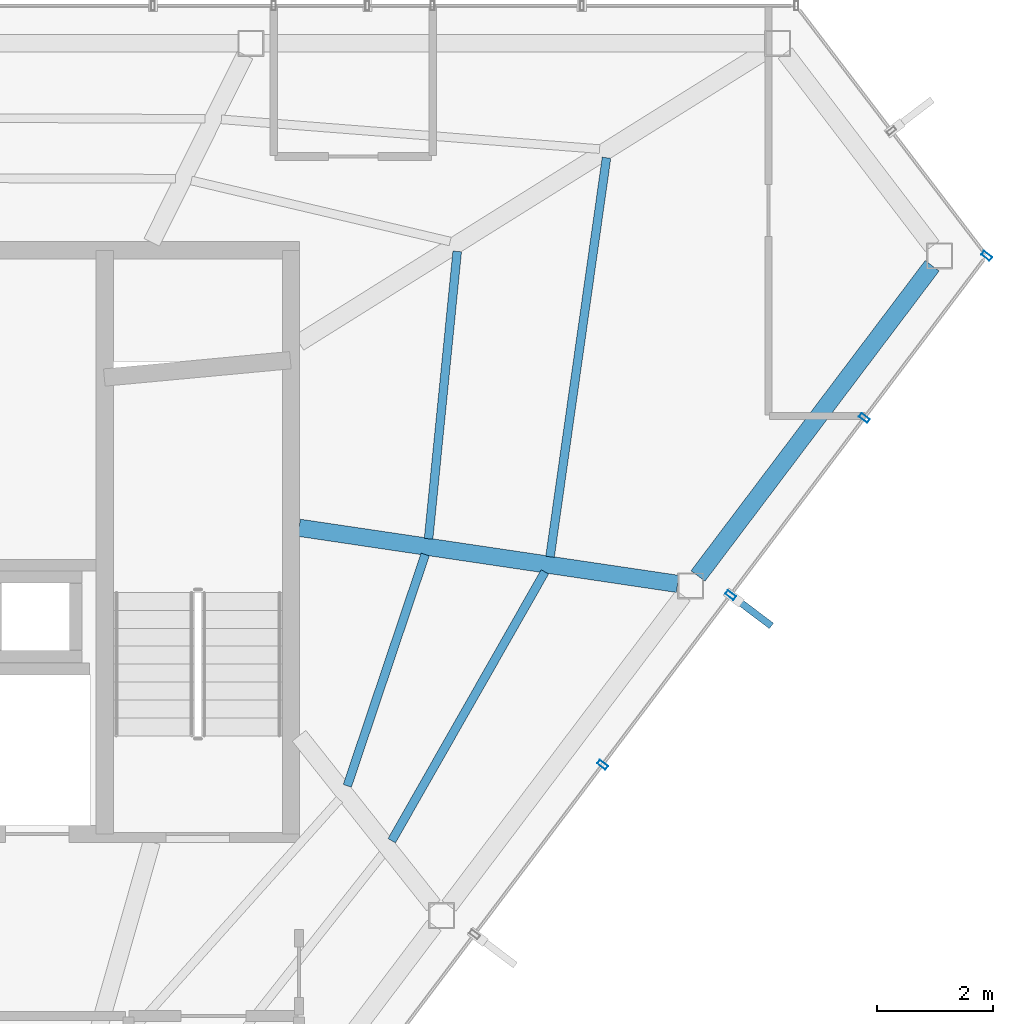
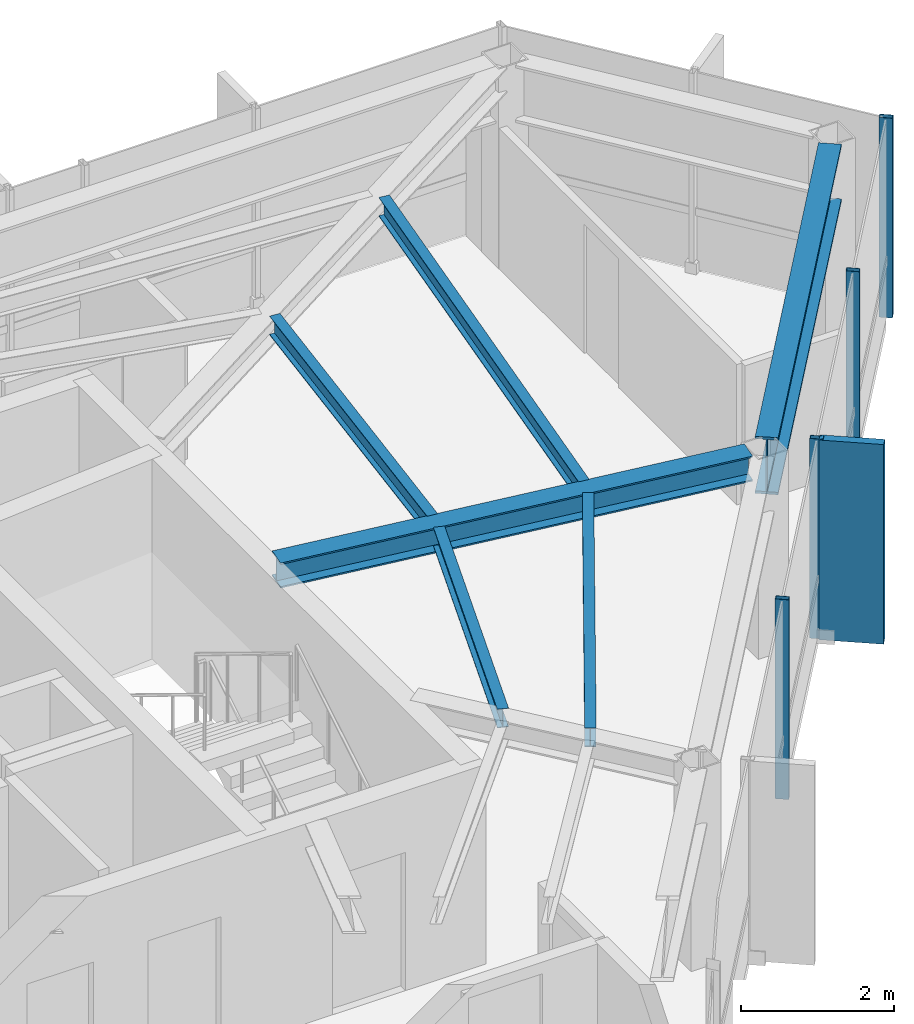
# One storey, part 17 of 23: 6 beams, 5 members, 1 element without a shape of its own.
"""IFC4 building model written with IfcOpenShell, lengths in metres."""

from ifc_helpers import new_model, si_unit, direction, frame, origin, origin_2d, place, context, subcontext, project, spatial, rectangle, hollow_rectangle, i_section, extrude, material, layer, layer_set, material_profile, profile_set, type_object, element, aggregate, save


model = new_model("IFC4")

# Units and contexts
model_context = context("Model", 3, precision=1e-05, world=origin(), true_north=direction((0.0, 1.0)))
body_context = subcontext(model_context, "Body", "Model", "MODEL_VIEW")
ifc_project = project(units=[si_unit("LENGTHUNIT", "METRE"), si_unit("AREAUNIT", "SQUARE_METRE"), si_unit("VOLUMEUNIT", "CUBIC_METRE"), si_unit("PLANEANGLEUNIT", "RADIAN"), si_unit("MASSUNIT", "GRAM", prefix="KILO")], contexts=[model_context])

# Site, building, storey
site_placement = place(None, origin())
site = spatial("IfcSite", under=ifc_project, at=site_placement, CompositionType="ELEMENT")
building_placement = place(site_placement, origin())
building = spatial("IfcBuilding", under=site, at=building_placement, Name="Zarrinselat Tower", CompositionType="ELEMENT")
storey_placement = place(building_placement, frame((0.0, 0.0, 282.199951171875)))
storey = spatial("IfcBuildingStorey", under=building, at=storey_placement, Name="L72", CompositionType="ELEMENT", Elevation=282.199951171875)

# Beams
ifc_material_1 = material(Name="Steel S355J2", Category="steel")
ifc_material_profile_1 = material_profile(ifc_material_1, i_section(OverallWidth=0.300048828125, OverallDepth=0.39990234375, WebThickness=0.013427734375, FlangeThickness=0.02392578125, at=origin_2d()), Name="HEB 400")
ifc_profile_set_1 = profile_set([ifc_material_profile_1], Name="Steel S355J2")
beam_type_1 = type_object("IfcBeamType", Name="BM-HEB400", PredefinedType="BEAM", material=ifc_profile_set_1)
beam_1_placement = place(storey_placement, frame((48.35009765625, 38.60009765625, 2.97998046875), z_axis=(0.989183462234, -0.146683598413, 0.0), x_axis=(0.146683598413, 0.989183462234, 0.0)))
element("IfcBeam", 1, at=beam_1_placement, inside=storey, type_object=beam_type_1, Name="L72 Radial Primary Girder RG14", PredefinedType="BEAM", context=body_context, shape_type="SweptSolid", body=[
    extrude(i_section(OverallWidth=0.300048828125, OverallDepth=0.39990234375, WebThickness=0.013427734375, FlangeThickness=0.02392578125, at=origin_2d()), origin(), (0.0, 0.0, 1.0), 6.62255859375),
])
ifc_material_2 = material(Name="Steel S460M", Category="steel")
ifc_material_profile_2 = material_profile(ifc_material_2, i_section(OverallWidth=0.302001953125, OverallDepth=0.909912109375, WebThickness=0.02099609375, FlangeThickness=0.0400390625, at=origin_2d()), Name="HEM 900")
ifc_profile_set_2 = profile_set([ifc_material_profile_2], Name="Steel S460M")
beam_type_2 = type_object("IfcBeamType", Name="BM-HEM900", PredefinedType="BEAM", material=ifc_profile_set_2)
beam_2_placement = place(storey_placement, frame((55.25390625, 37.765380859375, 2.72509765625), z_axis=(0.602471040777, 0.798140742617, 0.0), x_axis=(-0.798140742617, 0.602471040777, 0.0)))
element("IfcBeam", 2, at=beam_2_placement, inside=storey, type_object=beam_type_2, Name="L72 Perimeter Spandrel Girder SP14", PredefinedType="BEAM", context=body_context, shape_type="SweptSolid", body=[
    extrude(i_section(OverallWidth=0.302001953125, OverallDepth=0.909912109375, WebThickness=0.02099609375, FlangeThickness=0.0400390625, at=origin_2d()), origin(), (0.0, 0.0, 1.0), 6.7265625),
])
ifc_material_3 = material(Name="Steel S355J2", Category="steel")
ifc_material_profile_3 = material_profile(ifc_material_3, i_section(OverallWidth=0.14990234375, OverallDepth=0.300048828125, WebThickness=0.007080078125, FlangeThickness=0.0107421875, at=origin_2d()), Name="IPE 300")
ifc_profile_set_3 = profile_set([ifc_material_profile_3], Name="Steel S355J2")
beam_type_3 = type_object("IfcBeamType", Name="BM-IPE300", PredefinedType="JOIST", material=ifc_profile_set_3)
beam_3_placement = place(storey_placement, frame((49.954345703125, 33.18408203125, 3.030029296875), z_axis=(0.494906039578, 0.86894649547, 0.0), x_axis=(-0.86894649547, 0.494906039578, 0.0)))
element("IfcBeam", 3, at=beam_3_placement, inside=storey, type_object=beam_type_3, Name="L72 Composite Floor Joist 4-1", PredefinedType="JOIST", context=body_context, shape_type="SweptSolid", body=[
    extrude(i_section(OverallWidth=0.14990234375, OverallDepth=0.300048828125, WebThickness=0.007080078125, FlangeThickness=0.0107421875, at=origin_2d()), origin(), (0.0, 0.0, 1.0), 5.354736328125),
])
beam_4_placement = place(storey_placement, frame((49.185302734375, 34.134521484375, 3.030029296875), z_axis=(0.319053270003, 0.947736783553, 0.0), x_axis=(-0.947736783553, 0.319053270003, 0.0)))
element("IfcBeam", 4, at=beam_4_placement, inside=storey, type_object=beam_type_3, Name="L72 Composite Floor Joist 4-2", PredefinedType="JOIST", context=body_context, shape_type="SweptSolid", body=[
    extrude(i_section(OverallWidth=0.14990234375, OverallDepth=0.300048828125, WebThickness=0.007080078125, FlangeThickness=0.0107421875, at=origin_2d()), origin(), (0.0, 0.0, 1.0), 4.22314453125),
])
beam_5_placement = place(storey_placement, frame((52.693359375, 38.097412109375, 3.030029296875), z_axis=(0.140093109878, 0.990138334055, 0.0), x_axis=(-0.990138334055, 0.140093109878, 0.0)))
element("IfcBeam", 5, at=beam_5_placement, inside=storey, type_object=beam_type_3, Name="L72 Composite Floor Joist 5-1", PredefinedType="JOIST", context=body_context, shape_type="SweptSolid", body=[
    extrude(i_section(OverallWidth=0.14990234375, OverallDepth=0.300048828125, WebThickness=0.007080078125, FlangeThickness=0.0107421875, at=origin_2d()), origin(), (0.0, 0.0, 1.0), 6.974365234375),
])
beam_6_placement = place(storey_placement, frame((50.59130859375, 38.408935546875, 3.030029296875), z_axis=(0.099165150099, 0.995070988928, 0.0), x_axis=(-0.995070988928, 0.099165150099, 0.0)))
element("IfcBeam", 6, at=beam_6_placement, inside=storey, type_object=beam_type_3, Name="L72 Composite Floor Joist 5-2", PredefinedType="JOIST", context=body_context, shape_type="SweptSolid", body=[
    extrude(i_section(OverallWidth=0.14990234375, OverallDepth=0.300048828125, WebThickness=0.007080078125, FlangeThickness=0.0107421875, at=origin_2d()), origin(), (0.0, 0.0, 1.0), 4.997802734375),
])

# Curtain wall, members
ifc_material_4 = material(Name="Extruded Aluminium Alloy EN AW-6063 T6", Category="aluminium")
ifc_layer = layer(ifc_material_4, 0.199951171875)
ifc_layer_set = layer_set([ifc_layer], Name="Extruded Aluminium Alloy EN AW-6063 T6")
curtain_wall_type = type_object("IfcCurtainWallType", Name="CWS-BLADE", PredefinedType="NOTDEFINED", material=ifc_layer_set)
curtain_wall_placement = place(storey_placement, origin())
curtain_wall = element("IfcCurtainWall", 7, at=curtain_wall_placement, inside=storey, type_object=curtain_wall_type, Name="L72 Unitised Curtain Wall CW-L72-E05", PredefinedType="NOTDEFINED")
ifc_material_5 = material(Name="Extruded Aluminium Alloy EN AW-6063 T6", Category="aluminium")
ifc_material_profile_4 = material_profile(ifc_material_5, hollow_rectangle(XDim=0.080078125, YDim=0.179931640625, WallThickness=0.0048828125, at=origin_2d()), Name="RHS 180x80x5")
ifc_profile_set_4 = profile_set([ifc_material_profile_4], Name="Extruded Aluminium Alloy EN AW-6063 T6")
member_type_1 = type_object("IfcMemberType", Name="MEM-CW-MUL", PredefinedType="MULLION", material=ifc_profile_set_4)
member_1_placement = place(storey_placement, frame((53.6025390625, 34.498291015625, 0.0), z_axis=(0.0, 0.0, 1.0), x_axis=(0.602445101176, 0.798160322284, 0.0)))
member_1 = element("IfcMember", 8, at=member_1_placement, type_object=member_type_1, Name="CW-L72-E05 Mullion 6", PredefinedType="MULLION", context=body_context, shape_type="SweptSolid", body=[
    extrude(hollow_rectangle(XDim=0.080078125, YDim=0.179931640625, WallThickness=0.0048828125, at=origin_2d()), origin(), (0.0, 0.0, 1.0), 3.179931640625),
])
member_2_placement = place(storey_placement, frame((55.818359375, 37.43408203125, 0.0), z_axis=(0.0, 0.0, 1.0), x_axis=(0.602445101176, 0.798160322284, 0.0)))
member_2 = element("IfcMember", 9, at=member_2_placement, type_object=member_type_1, Name="CW-L72-E05 Mullion 7", PredefinedType="MULLION", context=body_context, shape_type="SweptSolid", body=[
    extrude(hollow_rectangle(XDim=0.080078125, YDim=0.179931640625, WallThickness=0.0048828125, at=origin_2d()), origin(), (0.0, 0.0, 1.0), 3.179931640625),
])
member_3_placement = place(storey_placement, frame((58.1318359375, 40.4990234375, 0.0), z_axis=(0.0, 0.0, 1.0), x_axis=(0.602445101176, 0.798160322284, 0.0)))
member_3 = element("IfcMember", 10, at=member_3_placement, type_object=member_type_1, Name="CW-L72-E05 Mullion 8", PredefinedType="MULLION", context=body_context, shape_type="SweptSolid", body=[
    extrude(hollow_rectangle(XDim=0.080078125, YDim=0.179931640625, WallThickness=0.0048828125, at=origin_2d()), origin(), (0.0, 0.0, 1.0), 3.179931640625),
])
member_4_placement = place(storey_placement, frame((60.250244140625, 43.3056640625, 0.0), z_axis=(0.0, 0.0, 1.0), x_axis=(0.602445101176, 0.798160322284, 0.0)))
member_4 = element("IfcMember", 11, at=member_4_placement, type_object=member_type_1, Name="CW-L72-E05 Mullion 9", PredefinedType="MULLION", context=body_context, shape_type="SweptSolid", body=[
    extrude(hollow_rectangle(XDim=0.080078125, YDim=0.179931640625, WallThickness=0.0048828125, at=origin_2d()), origin(), (0.0, 0.0, 1.0), 3.179931640625),
])
ifc_material_6 = material(Name="Honed Cream Travertine Stone", Category="masonry")
ifc_material_profile_5 = material_profile(ifc_material_6, rectangle(XDim=0.1201171875, YDim=0.85009765625, at=origin_2d()), Name="FIN 850x120")
ifc_profile_set_5 = profile_set([ifc_material_profile_5], Name="Honed Cream Travertine Stone")
member_type_2 = type_object("IfcMemberType", Name="MEM-STONE-FIN", PredefinedType="USERDEFINED", material=ifc_profile_set_5)
member_5_placement = place(storey_placement, frame((56.185546875, 37.156982421875, 0.0), z_axis=(0.0, 0.0, 1.0), x_axis=(-0.602445101176, -0.798160322284, 0.0)))
member_5 = element("IfcMember", 12, at=member_5_placement, type_object=member_type_2, Name="L72 Stone Shading Fin CW-L72-E05-07", ObjectType="FIN", PredefinedType="USERDEFINED", context=body_context, shape_type="SweptSolid", body=[
    extrude(rectangle(XDim=0.1201171875, YDim=0.85009765625, at=origin_2d()), origin(), (0.0, 0.0, 1.0), 3.179931640625),
])
aggregate(curtain_wall, [member_1, member_2, member_5, member_3, member_4])

save(model, "model.ifc")
